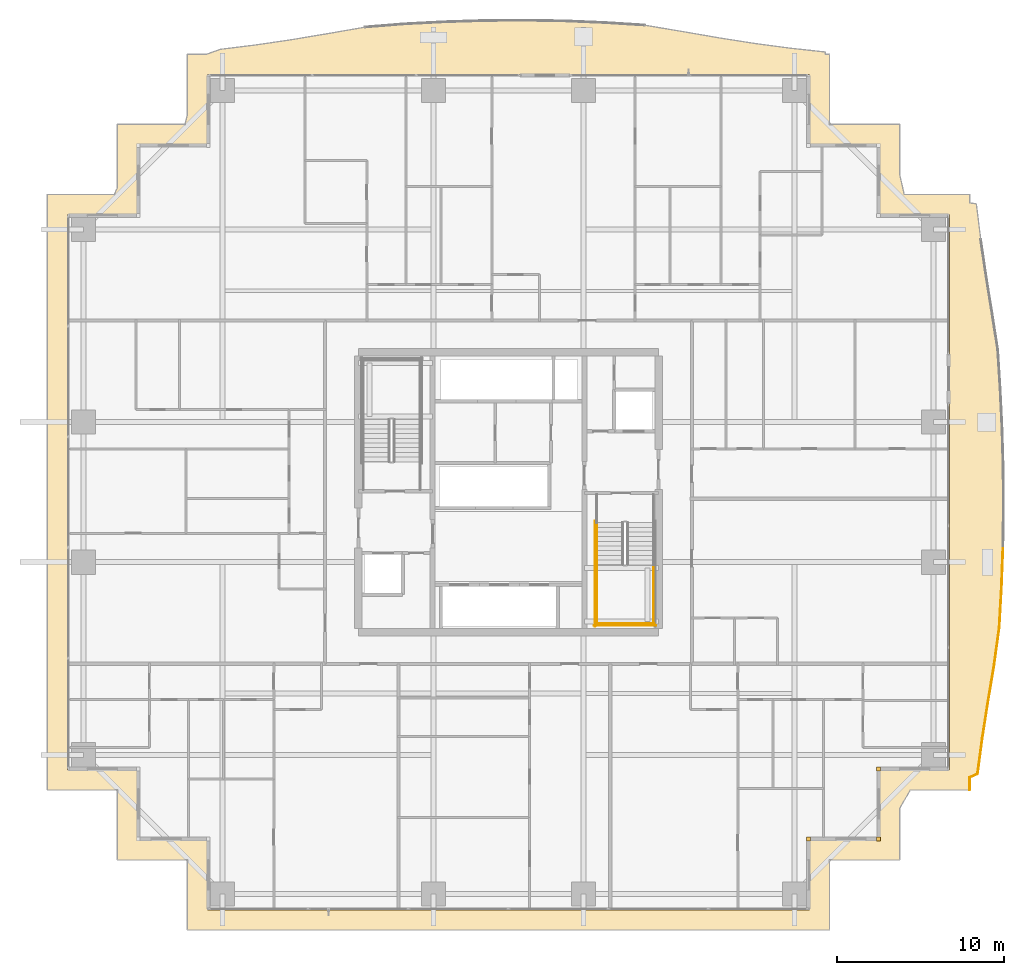
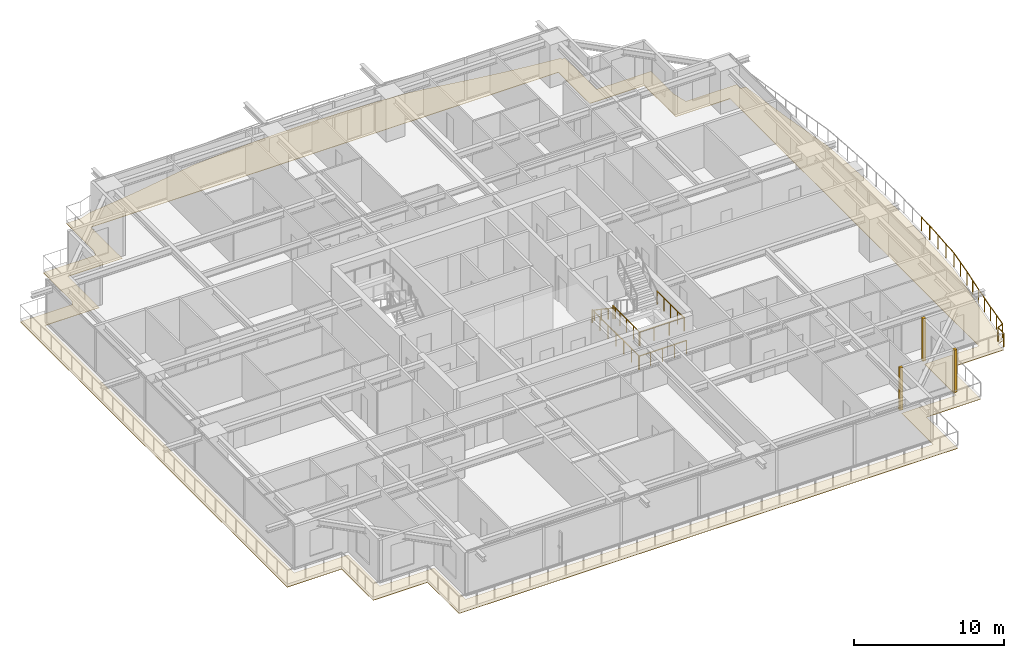
# One storey, part 36 of 38: 7 railings, 4 coverings.
"""IFC4 building model written with IfcOpenShell, lengths in metres."""

from ifc_helpers import new_model, si_unit, direction, frame, origin, origin_2d, place, context, subcontext, project, spatial, polyline, rectangle, circle, outline, extrude, source, transform, mapped, material, layer, layer_set, type_object, element, save


model = new_model("IFC4")

# Units and contexts
model_context = context("Model", 3, precision=1e-05, world=origin(), true_north=direction((0.0, 1.0)))
body_context = subcontext(model_context, "Body", "Model", "MODEL_VIEW")
ifc_project = project(units=[si_unit("LENGTHUNIT", "METRE"), si_unit("AREAUNIT", "SQUARE_METRE"), si_unit("VOLUMEUNIT", "CUBIC_METRE"), si_unit("PLANEANGLEUNIT", "RADIAN"), si_unit("MASSUNIT", "GRAM", prefix="KILO")], contexts=[model_context])

# Site, building, storey
site_placement = place(None, origin())
site = spatial("IfcSite", under=ifc_project, at=site_placement, CompositionType="ELEMENT")
building_placement = place(site_placement, origin())
building = spatial("IfcBuilding", under=site, at=building_placement, Name="Serunith Strait Residences", CompositionType="ELEMENT")
storey_placement = place(building_placement, frame((0.0, 0.0, 52.949951171875)))
storey = spatial("IfcBuildingStorey", under=building, at=storey_placement, Name="L12", CompositionType="ELEMENT", Elevation=52.949951171875)

# Covering
ifc_material_1 = material(Name="Golden Teak Exterior Timber Boarding", Category="wood")
ifc_layer_1 = layer(ifc_material_1, 0.034912109375, Name="Golden Teak Exterior Timber Boarding")
ifc_layer_set_1 = layer_set([ifc_layer_1], Name="Golden Teak Exterior Timber Boarding")
covering_type_1 = type_object("IfcCoveringType", Name="COV-TEAK-SOFFIT", PredefinedType="CEILING", material=ifc_layer_set_1)
covering_placement = place(storey_placement, frame((0.0, 0.0, -0.324951171875)))
element("IfcCovering", 1, at=covering_placement, inside=storey, type_object=covering_type_1, Name="L12 Golden-Teak Balcony Soffit Lining", PredefinedType="CEILING", context=body_context, shape_type="SweptSolid", body=[
    extrude(outline(polyline([(12.989990234375, 47.260009765625), (13.139892578125, 47.822998046875), (13.139892578125, 51.4599609375), (14.2685546875, 51.4599609375), (15.1171875, 51.761474609375), (17.244384765625, 52.0244140625), (19.389892578125, 52.341796875), (21.572021484375, 52.705810546875), (23.808837890625, 53.09326171875), (26.156982421875, 53.279541015625), (28.54541015625, 53.404052734375), (30.957763671875, 53.479736328125), (33.381103515625, 53.497802734375), (35.800048828125, 53.455810546875), (38.2001953125, 53.356201171875), (40.569091796875, 53.208251953125), (42.82666015625, 52.83251953125), (45.017578125, 52.4521484375), (47.16650390625, 52.113525390625), (49.29248046875, 51.830078125), (51.40966796875, 51.602294921875), (51.408447265625, 51.4599609375), (51.659912109375, 51.4599609375), (51.659912109375, 47.260009765625), (55.860107421875, 47.260009765625), (55.860107421875, 44.267333984375), (56.134521484375, 43.06005859375), (60.06005859375, 43.06005859375), (60.06005859375, 42.554931640625), (60.460693359375, 42.489990234375), (60.729248046875, 40.357177734375), (61.045654296875, 38.20263671875), (61.3994140625, 36.0107421875), (61.75048828125, 33.760498046875), (61.899169921875, 31.410888671875), (62.012451171875, 29.032470703125), (62.081298828125, 26.633544921875), (62.09814453125, 24.22509765625), (62.060791015625, 21.820068359375), (61.9716796875, 19.431396484375), (61.837890625, 17.069091796875), (61.5244140625, 14.793212890625), (61.15771484375, 12.59130859375), (60.82275390625, 10.432373046875), (60.53466796875, 8.2998046875), (60.06005859375, 8.0830078125), (60.06005859375, 7.340087890625), (56.501220703125, 7.340087890625), (55.860107421875, 6.223388671875), (55.860107421875, 3.139892578125), (51.659912109375, 3.139892578125), (51.659912109375, -1.06005859375), (13.139892578125, -1.06005859375), (13.139892578125, 3.139892578125), (8.93994140625, 3.139892578125), (8.93994140625, 7.340087890625), (4.739990234375, 7.340087890625), (4.739990234375, 43.06005859375), (8.7587890625, 43.06005859375), (8.93994140625, 43.457763671875), (8.93994140625, 47.260009765625), (12.989990234375, 47.260009765625)]), holes=[polyline([(50.455078125, 0.14501953125), (50.455078125, 4.344970703125), (54.655029296875, 4.344970703125), (54.655029296875, 8.544921875), (58.85498046875, 8.544921875), (58.85498046875, 41.85498046875), (54.655029296875, 41.85498046875), (54.655029296875, 46.054931640625), (50.455078125, 46.054931640625), (50.455078125, 50.2548828125), (14.344970703125, 50.2548828125), (14.344970703125, 46.054931640625), (10.14501953125, 46.054931640625), (10.14501953125, 41.85498046875), (5.945068359375, 41.85498046875), (5.945068359375, 8.544921875), (10.14501953125, 8.544921875), (10.14501953125, 4.344970703125), (14.344970703125, 4.344970703125), (14.344970703125, 0.14501953125), (50.455078125, 0.14501953125)])]), origin(), (0.0, 0.0, 1.0), 0.034912109375),
])

# Railings
ifc_material_2 = material(Name="Stainless Steel & Laminated Glass Balustrade", Category="steel")
railing_type_1 = type_object("IfcRailingType", Name="RLG-BALC-1150", PredefinedType="BALUSTRADE", material=ifc_material_2)
railing_1_placement = place(storey_placement, frame((62.060791015625, 21.820068359375, -0.050048828125)))
element("IfcRailing", 2, at=railing_1_placement, inside=storey, type_object=railing_type_1, Name="L12 Swirling Balcony Perimeter Balustrade 6", PredefinedType="BALUSTRADE", context=body_context, shape_type="SweptSolid", body=[
    extrude(circle(Radius=0.02392578125, at=origin_2d()), frame((0.0, -0.001953125, 1.1259765625), z_axis=(-0.037279872786, -0.999304863935, 0.0), x_axis=(0.999304863935, -0.037279872786, 0.0)), (0.0, 0.0, 1.0), 2.38623046875),
    extrude(circle(Radius=0.02392578125, at=origin_2d()), frame((-0.089111328125, -2.390625, 1.1259765625), z_axis=(-0.056544362139, -0.998400087695, 0.0), x_axis=(0.998400087695, -0.056544362139, 0.0)), (0.0, 0.0, 1.0), 2.362060546875),
    extrude(circle(Radius=0.02392578125, at=origin_2d()), frame((-0.22314453125, -4.7529296875, 1.1259765625), z_axis=(-0.136450399568, -0.990646904027, 0.0), x_axis=(0.990646904027, -0.136450399568, 0.0)), (0.0, 0.0, 1.0), 2.29345703125),
    extrude(circle(Radius=0.02392578125, at=origin_2d()), frame((-0.53662109375, -7.02880859375, 1.1259765625), z_axis=(-0.164274835446, -0.986414607779, 0.0), x_axis=(0.986414607779, -0.164274835446, 0.0)), (0.0, 0.0, 1.0), 2.228271484375),
    extrude(circle(Radius=0.02392578125, at=origin_2d()), frame((-0.9033203125, -9.230712890625, 1.1259765625), z_axis=(-0.153316634741, -0.988177114444, 0.0), x_axis=(0.988177114444, -0.153316634741, 0.0)), (0.0, 0.0, 1.0), 2.1806640625),
    extrude(circle(Radius=0.02392578125, at=origin_2d()), frame((-1.23828125, -11.3896484375, 1.1259765625), z_axis=(-0.133872726879, -0.990998533298, 0.0), x_axis=(0.990998533298, -0.133872726879, 0.0)), (0.0, 0.0, 1.0), 2.14794921875),
    extrude(circle(Radius=0.02392578125, at=origin_2d()), frame((-1.52783203125, -13.52099609375, 1.1259765625), z_axis=(-0.909595755729, -0.415494357555, 0.0), x_axis=(0.415494357555, -0.909595755729, 0.0)), (0.0, 0.0, 1.0), 0.517822265625),
    extrude(circle(Radius=0.02392578125, at=origin_2d()), frame((-2.000732421875, -13.739013671875, 1.1259765625), z_axis=(0.0, -1.0, 0.0), x_axis=(1.0, 0.0, 0.0)), (0.0, 0.0, 1.0), 0.739013671875),
    extrude(circle(Radius=0.02099609375, at=origin_2d()), origin(), (0.0, 0.0, 1.0), 1.099853515625),
    extrude(circle(Radius=0.02099609375, at=origin_2d()), frame((-0.04443359375, -1.1943359375, 0.0)), (0.0, 0.0, 1.0), 1.099853515625),
    extrude(circle(Radius=0.02099609375, at=origin_2d()), frame((-0.089111328125, -2.388671875, 0.0)), (0.0, 0.0, 1.0), 1.099853515625),
    extrude(circle(Radius=0.02099609375, at=origin_2d()), frame((-0.156005859375, -3.56982421875, 0.0)), (0.0, 0.0, 1.0), 1.099853515625),
    extrude(circle(Radius=0.02099609375, at=origin_2d()), frame((-0.222900390625, -4.7509765625, 0.0)), (0.0, 0.0, 1.0), 1.099853515625),
    extrude(circle(Radius=0.02099609375, at=origin_2d()), frame((-0.379638671875, -5.888916015625, 0.0)), (0.0, 0.0, 1.0), 1.099853515625),
    extrude(circle(Radius=0.02099609375, at=origin_2d()), frame((-0.536376953125, -7.02685546875, 0.0)), (0.0, 0.0, 1.0), 1.099853515625),
    extrude(circle(Radius=0.02099609375, at=origin_2d()), frame((-0.7197265625, -8.1279296875, 0.0)), (0.0, 0.0, 1.0), 1.099853515625),
    extrude(circle(Radius=0.02099609375, at=origin_2d()), frame((-0.903076171875, -9.228759765625, 0.0)), (0.0, 0.0, 1.0), 1.099853515625),
    extrude(circle(Radius=0.02099609375, at=origin_2d()), frame((-1.070556640625, -10.30810546875, 0.0)), (0.0, 0.0, 1.0), 1.099853515625),
    extrude(circle(Radius=0.02099609375, at=origin_2d()), frame((-1.238037109375, -11.3876953125, 0.0)), (0.0, 0.0, 1.0), 1.099853515625),
    extrude(circle(Radius=0.02099609375, at=origin_2d()), frame((-1.382080078125, -12.4541015625, 0.0)), (0.0, 0.0, 1.0), 1.099853515625),
    extrude(circle(Radius=0.02099609375, at=origin_2d()), frame((-1.526123046875, -13.520263671875, 0.0)), (0.0, 0.0, 1.0), 1.099853515625),
    extrude(circle(Radius=0.02099609375, at=origin_2d()), frame((-2.000732421875, -13.737060546875, 0.0)), (0.0, 0.0, 1.0), 1.099853515625),
    extrude(circle(Radius=0.02099609375, at=origin_2d()), frame((-2.000732421875, -14.47998046875, 0.0)), (0.0, 0.0, 1.0), 1.099853515625),
])
ifc_material_3 = material(Name="Brushed stainless steel 316L", Category="steel")
railing_type_2 = type_object("IfcRailingType", Name="RLG-STAIR-GUARD", PredefinedType="BALUSTRADE", material=ifc_material_3)
for number, where, name in (
    (3, (37.699951171875, 20.85009765625, 1.875), "L12 ST-2 stair guard 3"),
    (4, (41.10009765625, 20.85009765625, 1.875), "L12 ST-2 stair guard 4"),
):
    element("IfcRailing", number, at=place(storey_placement, frame(where)), inside=storey, type_object=railing_type_2, Name=name, PredefinedType="BALUSTRADE", context=body_context, shape_type="SweptSolid", body=[
        extrude(circle(Radius=0.02392578125, at=origin_2d()), frame((0.0, -0.001953125, 1.076171875), z_axis=(0.0, -1.0, 0.0), x_axis=(1.0, 0.0, 0.0)), (0.0, 0.0, 1.0), 3.59619140625),
        extrude(circle(Radius=0.02099609375, at=origin_2d()), origin(), (0.0, 0.0, 1.0), 1.050048828125),
        extrude(circle(Radius=0.02099609375, at=origin_2d()), frame((0.0, -0.89990234375, 0.0)), (0.0, 0.0, 1.0), 1.050048828125),
        extrude(circle(Radius=0.02099609375, at=origin_2d()), frame((0.0, -1.800048828125, 0.0)), (0.0, 0.0, 1.0), 1.050048828125),
        extrude(circle(Radius=0.02099609375, at=origin_2d()), frame((0.0, -2.7001953125, 0.0)), (0.0, 0.0, 1.0), 1.050048828125),
        extrude(circle(Radius=0.02099609375, at=origin_2d()), frame((0.0, -3.60009765625, 0.0)), (0.0, 0.0, 1.0), 1.050048828125),
    ])
railing_2_placement = place(storey_placement, frame((37.64990234375, 17.300048828125, 1.875)))
element("IfcRailing", 5, at=railing_2_placement, inside=storey, type_object=railing_type_2, Name="L12 ST-2 stair guard 5", PredefinedType="BALUSTRADE", context=body_context, shape_type="SweptSolid", body=[
    extrude(circle(Radius=0.02392578125, at=origin_2d()), frame((0.001953125, 0.0, 1.076171875), z_axis=(1.0, 0.0, 0.0), x_axis=(0.0, 1.0, 0.0)), (0.0, 0.0, 1.0), 3.49609375),
    extrude(circle(Radius=0.02099609375, at=origin_2d()), origin(), (0.0, 0.0, 1.0), 1.050048828125),
    extrude(circle(Radius=0.02099609375, at=origin_2d()), frame((1.166748046875, 0.0, 0.0)), (0.0, 0.0, 1.0), 1.050048828125),
    extrude(circle(Radius=0.02099609375, at=origin_2d()), frame((2.333251953125, 0.0, 0.0)), (0.0, 0.0, 1.0), 1.050048828125),
    extrude(circle(Radius=0.02099609375, at=origin_2d()), frame((3.5, 0.0, 0.0)), (0.0, 0.0, 1.0), 1.050048828125),
])
railing_3_placement = place(storey_placement, frame((37.60009765625, 23.469970703125, 0.0)))
element("IfcRailing", 6, at=railing_3_placement, inside=storey, type_object=railing_type_2, Name="L12 ST-2 stair guard 10", PredefinedType="BALUSTRADE", context=body_context, shape_type="SweptSolid", body=[
    extrude(circle(Radius=0.02392578125, at=origin_2d()), frame((0.0, -0.001953125, 1.076171875), z_axis=(0.0, -1.0, 0.0), x_axis=(1.0, 0.0, 0.0)), (0.0, 0.0, 1.0), 6.316162109375),
    extrude(circle(Radius=0.02099609375, at=origin_2d()), origin(), (0.0, 0.0, 1.0), 1.050048828125),
    extrude(circle(Radius=0.02099609375, at=origin_2d()), frame((0.0, -1.05322265625, 0.0)), (0.0, 0.0, 1.0), 1.050048828125),
    extrude(circle(Radius=0.02099609375, at=origin_2d()), frame((0.0, -2.106689453125, 0.0)), (0.0, 0.0, 1.0), 1.050048828125),
    extrude(circle(Radius=0.02099609375, at=origin_2d()), frame((0.0, -3.16015625, 0.0)), (0.0, 0.0, 1.0), 1.050048828125),
    extrude(circle(Radius=0.02099609375, at=origin_2d()), frame((0.0, -4.21337890625, 0.0)), (0.0, 0.0, 1.0), 1.050048828125),
    extrude(circle(Radius=0.02099609375, at=origin_2d()), frame((0.0, -5.2666015625, 0.0)), (0.0, 0.0, 1.0), 1.050048828125),
    extrude(circle(Radius=0.02099609375, at=origin_2d()), frame((0.0, -6.320068359375, 0.0)), (0.0, 0.0, 1.0), 1.050048828125),
])
railing_4_placement = place(storey_placement, frame((37.550048828125, 17.199951171875, 0.0)))
element("IfcRailing", 7, at=railing_4_placement, inside=storey, type_object=railing_type_2, Name="L12 ST-2 stair guard 12", PredefinedType="BALUSTRADE", context=body_context, shape_type="SweptSolid", body=[
    extrude(circle(Radius=0.02392578125, at=origin_2d()), frame((0.001953125, 0.0, 1.076171875), z_axis=(1.0, 0.0, 0.0), x_axis=(0.0, 1.0, 0.0)), (0.0, 0.0, 1.0), 3.696044921875),
    extrude(circle(Radius=0.02099609375, at=origin_2d()), origin(), (0.0, 0.0, 1.0), 1.050048828125),
    extrude(circle(Radius=0.02099609375, at=origin_2d()), frame((0.925048828125, 0.0, 0.0)), (0.0, 0.0, 1.0), 1.050048828125),
    extrude(circle(Radius=0.02099609375, at=origin_2d()), frame((1.85009765625, 0.0, 0.0)), (0.0, 0.0, 1.0), 1.050048828125),
    extrude(circle(Radius=0.02099609375, at=origin_2d()), frame((2.77490234375, 0.0, 0.0)), (0.0, 0.0, 1.0), 1.050048828125),
    extrude(circle(Radius=0.02099609375, at=origin_2d()), frame((3.699951171875, 0.0, 0.0)), (0.0, 0.0, 1.0), 1.050048828125),
])
railing_type_3 = type_object("IfcRailingType", Name="RLG-STAIR-HR", PredefinedType="HANDRAIL", material=ifc_material_3)
railing_5_placement = place(storey_placement, frame((37.699951171875, 23.3701171875, 0.1875)))
element("IfcRailing", 8, at=railing_5_placement, inside=storey, type_object=railing_type_3, Name="L12 ST-2 stair handrail 1", PredefinedType="HANDRAIL", context=body_context, shape_type="SweptSolid", body=[
    extrude(circle(Radius=0.02392578125, at=origin_2d()), frame((0.0, -0.001708984375, 0.876953125), z_axis=(0.0, -0.830208209119, 0.557453432594), x_axis=(1.0, 0.0, 0.0)), (0.0, 0.0, 1.0), 3.36865234375),
    extrude(circle(Radius=0.02099609375, at=origin_2d()), origin(), (0.0, 0.0, 1.0), 0.849853515625),
    extrude(circle(Radius=0.02099609375, at=origin_2d()), frame((0.0, -0.933349609375, 0.626708984375)), (0.0, 0.0, 1.0), 0.849853515625),
    extrude(circle(Radius=0.02099609375, at=origin_2d()), frame((0.0, -1.86669921875, 1.25341796875)), (0.0, 0.0, 1.0), 0.849853515625),
    extrude(circle(Radius=0.02099609375, at=origin_2d()), frame((0.0, -2.800048828125, 1.880126953125)), (0.0, 0.0, 1.0), 0.849853515625),
])

# Coverings
ifc_material_4 = material(Name="Pale-Champagne Anodised Aluminium", Category="aluminium")
ifc_layer_2 = layer(ifc_material_4, 0.219970703125, Name="Pale-Champagne Anodised Aluminium")
ifc_layer_set_2 = layer_set([ifc_layer_2], Name="Pale-Champagne Anodised Aluminium")
covering_type_2 = type_object("IfcCoveringType", Name="COV-CORN-TRIM", PredefinedType="CLADDING", material=ifc_layer_set_2)
shared_shape = source(origin(), body_context, "Body", "SweptSolid", [
    extrude(rectangle(XDim=0.221923828125, YDim=0.221923828125, at=origin_2d()), origin(), (0.0, 0.0, 1.0), 3.47509765625),
])
for number, where, z_axis, x_axis, name in (
    (9, (50.39990234375, 4.39990234375, 0.0), (0.0, 0.0, 1.0), (1.0, 0.0, 0.0), "L12 Girih Serrated Corner Trim Post 02"),
    (10, (54.60009765625, 4.39990234375, 0.0), (0.0, 0.0, 1.0), (1.0, 0.0, 0.0), "L12 Girih Serrated Corner Trim Post 03"),
    (11, (54.60009765625, 8.60009765625, 0.0), (0.0, 0.0, 1.0), (1.0, 0.0, 0.0), "L12 Girih Serrated Corner Trim Post 04"),
):
    element("IfcCovering", number, at=place(storey_placement, frame(where, z_axis=z_axis, x_axis=x_axis)), inside=storey, type_object=covering_type_2, Name=name, PredefinedType="CLADDING", context=body_context, shape_type="MappedRepresentation", body=[
        mapped(shared_shape, transform((0.0, 0.0, 0.0), scale=1.0)),
    ])

save(model, "model.ifc")
